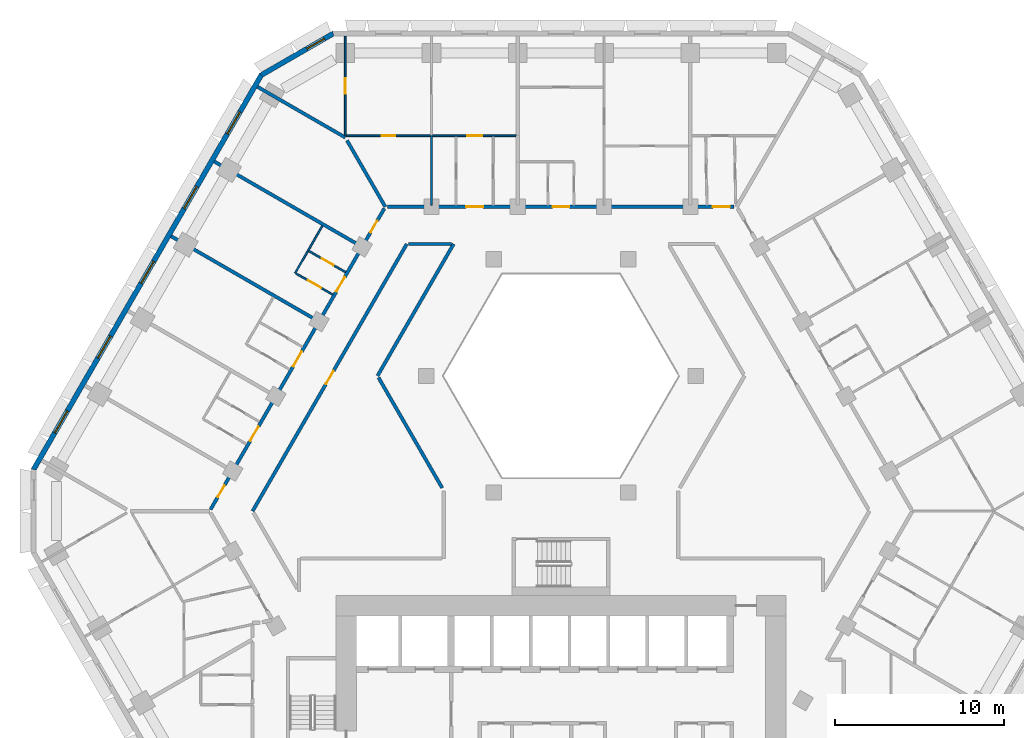
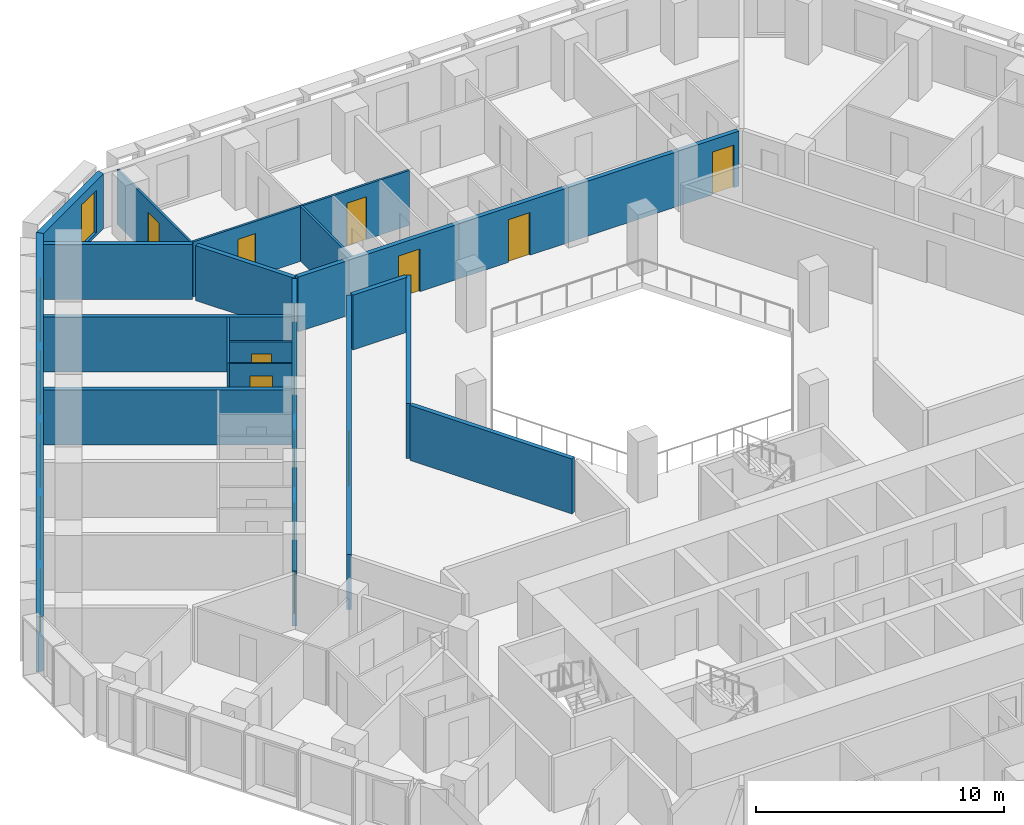
# One storey, part 8 of 16: 18 walls, 14 doors, 6 windows, 20 openings.
"""IFC4 building model written with IfcOpenShell, lengths in metres."""

from ifc_helpers import new_model, si_unit, direction, frame, frame_2d, origin, place, context, subcontext, project, spatial, polyline, rectangle, outline, extrude, material, layer, layer_set, type_object, element, fill, save


model = new_model("IFC4")

# Units and contexts
model_context = context("Model", 3, precision=1e-05, world=origin(), true_north=direction((0.0, 1.0)))
body_context = subcontext(model_context, "Body", "Model", "MODEL_VIEW")
ifc_project = project(units=[si_unit("LENGTHUNIT", "METRE"), si_unit("AREAUNIT", "SQUARE_METRE"), si_unit("VOLUMEUNIT", "CUBIC_METRE"), si_unit("PLANEANGLEUNIT", "RADIAN"), si_unit("MASSUNIT", "GRAM", prefix="KILO")], contexts=[model_context])

# Site, building, storey
site_placement = place(None, origin())
site = spatial("IfcSite", under=ifc_project, at=site_placement, CompositionType="ELEMENT")
building_placement = place(site_placement, origin())
building = spatial("IfcBuilding", under=site, at=building_placement, Name="Beryl Residences", CompositionType="ELEMENT")
storey_placement = place(building_placement, frame((0.0, 0.0, 32.39990234375)))
storey = spatial("IfcBuildingStorey", under=building, at=storey_placement, Name="L09", CompositionType="ELEMENT", Elevation=32.39990234375)

# Wall, opening, window
ifc_material_1 = material(Name="Composite metal panel with mineral wool insulation")
ifc_layer_1 = layer(ifc_material_1, 0.300048828125)
ifc_layer_set_1 = layer_set([ifc_layer_1], Name="ES1 pale metal composite panel wall 300 mm")
wall_type_1 = type_object("IfcWallType", Name="ES1 pale metal composite panel wall 300 mm", PredefinedType="SOLIDWALL", material=ifc_layer_set_1)
wall_1_placement = place(storey_placement, frame((-13.43505859375, 28.27001953125, 0.0), z_axis=(0.0, 0.0, 1.0), x_axis=(-0.866010750942, -0.50002537861, 0.0)))
wall_1 = element("IfcWall", 1, at=wall_1_placement, inside=storey, type_object=wall_type_1, Name="ES1 external wall L09 N-NW", PredefinedType="SOLIDWALL", context=body_context, shape_type="SweptSolid", body=[
    extrude(outline(polyline([(0.0, -0.14990234375), (4.999755859375, -0.14990234375), (4.91943359375, 0.14990234375), (0.080322265625, 0.14990234375), (0.0, -0.14990234375)])), origin(), (0.0, 0.0, 1.0), 2.7001953125),
])
opening_1_placement = place(wall_1_placement, frame((0.64990234375, 0.0, 0.14990234375)))
opening_1 = element("IfcOpeningElement", 2, at=opening_1_placement, cuts=wall_1, Name="Opening W2", PredefinedType="OPENING", context=body_context, shape_type="SweptSolid", body=[
    extrude(rectangle(XDim=1.199951171875, YDim=2.10009765625, at=frame_2d((0.60009765625, 1.050048828125))), frame((0.0, 0.159912109375, 0.0), z_axis=(0.0, -1.0, 0.0), x_axis=(1.0, 0.0, 0.0)), (0.0, 0.0, 1.0), 0.320068359375),
])
ifc_material_2 = material(Name="Aluminium and clear glass", Category="aluminium")
window_type_1 = type_object("IfcWindowType", Name="W2 chamfer window 1200 x 2100 mm", PartitioningType="SINGLE_PANEL", PredefinedType="WINDOW", material=ifc_material_2)
window_1_placement = place(opening_1_placement, origin())
window_1 = element("IfcWindow", 3, at=window_1_placement, inside=storey, type_object=window_type_1, Name="W2 window L09 N-NW 1", OverallHeight=2.10009765625, OverallWidth=1.199951171875, PartitioningType="SINGLE_PANEL", PredefinedType="WINDOW", context=body_context, shape_type="SweptSolid", body=[
    extrude(rectangle(XDim=1.199951171875, YDim=2.10009765625, at=frame_2d((0.60009765625, 1.050048828125))), frame((0.0, 0.030029296875, 0.0), z_axis=(0.0, -1.0, 0.0), x_axis=(1.0, 0.0, 0.0)), (0.0, 0.0, 1.0), 0.06005859375),
])
fill(opening_1, window_1)

# Wall, openings, windows
wall_2_placement = place(storey_placement, frame((-17.7099609375, 25.824951171875, 0.0), z_axis=(0.0, 0.0, 1.0), x_axis=(-0.500001938803, -0.866024284413, 0.0)))
wall_2 = element("IfcWall", 4, at=wall_2_placement, inside=storey, type_object=wall_type_1, Name="ES1 external wall L09 NW", PredefinedType="SOLIDWALL", context=body_context, shape_type="SweptSolid", body=[
    extrude(outline(polyline([(0.0, -0.14990234375), (27.02001953125, -0.14990234375), (26.939697265625, 0.14990234375), (0.080322265625, 0.14990234375), (0.0, -0.14990234375)])), origin(), (0.0, 0.0, 1.0), 2.7001953125),
])
opening_2_placement = place(wall_2_placement, frame((2.552978515625, 0.0, 0.14990234375)))
opening_2 = element("IfcOpeningElement", 5, at=opening_2_placement, cuts=wall_2, Name="Opening W1", PredefinedType="OPENING", context=body_context, shape_type="SweptSolid", body=[
    extrude(rectangle(XDim=1.5, YDim=2.10009765625, at=frame_2d((0.75, 1.050048828125))), frame((0.0, 0.159912109375, 0.0), z_axis=(0.0, -1.0, 0.0), x_axis=(1.0, 0.0, 0.0)), (0.0, 0.0, 1.0), 0.320068359375),
])
opening_3_placement = place(wall_2_placement, frame((7.657958984375, 0.0, 0.14990234375)))
opening_3 = element("IfcOpeningElement", 6, at=opening_3_placement, cuts=wall_2, Name="Opening W1", PredefinedType="OPENING", context=body_context, shape_type="SweptSolid", body=[
    extrude(rectangle(XDim=1.5, YDim=2.10009765625, at=frame_2d((0.75, 1.050048828125))), frame((0.0, 0.159912109375, 0.0), z_axis=(0.0, -1.0, 0.0), x_axis=(1.0, 0.0, 0.0)), (0.0, 0.0, 1.0), 0.320068359375),
])
opening_4_placement = place(wall_2_placement, frame((12.760986328125, 0.0, 0.14990234375)))
opening_4 = element("IfcOpeningElement", 7, at=opening_4_placement, cuts=wall_2, Name="Opening W1", PredefinedType="OPENING", context=body_context, shape_type="SweptSolid", body=[
    extrude(rectangle(XDim=1.5, YDim=2.10009765625, at=frame_2d((0.75, 1.050048828125))), frame((0.0, 0.159912109375, 0.0), z_axis=(0.0, -1.0, 0.0), x_axis=(1.0, 0.0, 0.0)), (0.0, 0.0, 1.0), 0.320068359375),
])
opening_5_placement = place(wall_2_placement, frame((17.864990234375, 0.0, 0.14990234375)))
opening_5 = element("IfcOpeningElement", 8, at=opening_5_placement, cuts=wall_2, Name="Opening W1", PredefinedType="OPENING", context=body_context, shape_type="SweptSolid", body=[
    extrude(rectangle(XDim=1.5, YDim=2.10009765625, at=frame_2d((0.75, 1.050048828125))), frame((0.0, 0.159912109375, 0.0), z_axis=(0.0, -1.0, 0.0), x_axis=(1.0, 0.0, 0.0)), (0.0, 0.0, 1.0), 0.320068359375),
])
opening_6_placement = place(wall_2_placement, frame((22.968994140625, 0.0, 0.14990234375)))
opening_6 = element("IfcOpeningElement", 9, at=opening_6_placement, cuts=wall_2, Name="Opening W1", PredefinedType="OPENING", context=body_context, shape_type="SweptSolid", body=[
    extrude(rectangle(XDim=1.5, YDim=2.10009765625, at=frame_2d((0.75, 1.050048828125))), frame((0.0, 0.159912109375, 0.0), z_axis=(0.0, -1.0, 0.0), x_axis=(1.0, 0.0, 0.0)), (0.0, 0.0, 1.0), 0.320068359375),
])
ifc_material_3 = material(Name="Aluminium and clear glass", Category="aluminium")
window_type_2 = type_object("IfcWindowType", Name="W1 cell window 1500 x 2100 mm", PartitioningType="SINGLE_PANEL", PredefinedType="WINDOW", material=ifc_material_3)
window_2_placement = place(opening_2_placement, origin())
window_2 = element("IfcWindow", 10, at=window_2_placement, inside=storey, type_object=window_type_2, Name="W1 window L09 NW 2", OverallHeight=2.10009765625, OverallWidth=1.5, PartitioningType="SINGLE_PANEL", PredefinedType="WINDOW", context=body_context, shape_type="SweptSolid", body=[
    extrude(rectangle(XDim=1.5, YDim=2.10009765625, at=frame_2d((0.75, 1.050048828125))), frame((0.0, 0.030029296875, 0.0), z_axis=(0.0, -1.0, 0.0), x_axis=(1.0, 0.0, 0.0)), (0.0, 0.0, 1.0), 0.06005859375),
])
fill(opening_2, window_2)
window_3_placement = place(opening_3_placement, origin())
window_3 = element("IfcWindow", 11, at=window_3_placement, inside=storey, type_object=window_type_2, Name="W1 window L09 NW 4", OverallHeight=2.10009765625, OverallWidth=1.5, PartitioningType="SINGLE_PANEL", PredefinedType="WINDOW", context=body_context, shape_type="SweptSolid", body=[
    extrude(rectangle(XDim=1.5, YDim=2.10009765625, at=frame_2d((0.75, 1.050048828125))), frame((0.0, 0.030029296875, 0.0), z_axis=(0.0, -1.0, 0.0), x_axis=(1.0, 0.0, 0.0)), (0.0, 0.0, 1.0), 0.06005859375),
])
fill(opening_3, window_3)
window_4_placement = place(opening_4_placement, origin())
window_4 = element("IfcWindow", 12, at=window_4_placement, inside=storey, type_object=window_type_2, Name="W1 window L09 NW 6", OverallHeight=2.10009765625, OverallWidth=1.5, PartitioningType="SINGLE_PANEL", PredefinedType="WINDOW", context=body_context, shape_type="SweptSolid", body=[
    extrude(rectangle(XDim=1.5, YDim=2.10009765625, at=frame_2d((0.75, 1.050048828125))), frame((0.0, 0.030029296875, 0.0), z_axis=(0.0, -1.0, 0.0), x_axis=(1.0, 0.0, 0.0)), (0.0, 0.0, 1.0), 0.06005859375),
])
fill(opening_4, window_4)
window_5_placement = place(opening_5_placement, origin())
window_5 = element("IfcWindow", 13, at=window_5_placement, inside=storey, type_object=window_type_2, Name="W1 window L09 NW 8", OverallHeight=2.10009765625, OverallWidth=1.5, PartitioningType="SINGLE_PANEL", PredefinedType="WINDOW", context=body_context, shape_type="SweptSolid", body=[
    extrude(rectangle(XDim=1.5, YDim=2.10009765625, at=frame_2d((0.75, 1.050048828125))), frame((0.0, 0.030029296875, 0.0), z_axis=(0.0, -1.0, 0.0), x_axis=(1.0, 0.0, 0.0)), (0.0, 0.0, 1.0), 0.06005859375),
])
fill(opening_5, window_5)
window_6_placement = place(opening_6_placement, origin())
window_6 = element("IfcWindow", 14, at=window_6_placement, inside=storey, type_object=window_type_2, Name="W1 window L09 NW 10", OverallHeight=2.10009765625, OverallWidth=1.5, PartitioningType="SINGLE_PANEL", PredefinedType="WINDOW", context=body_context, shape_type="SweptSolid", body=[
    extrude(rectangle(XDim=1.5, YDim=2.10009765625, at=frame_2d((0.75, 1.050048828125))), frame((0.0, 0.030029296875, 0.0), z_axis=(0.0, -1.0, 0.0), x_axis=(1.0, 0.0, 0.0)), (0.0, 0.0, 1.0), 0.06005859375),
])
fill(opening_6, window_6)

# Wall, opening, door
ifc_material_4 = material(Name="Gypsum board partition on steel studs", Category="steel")
ifc_layer_2 = layer(ifc_material_4, 0.10009765625)
ifc_layer_set_2 = layer_set([ifc_layer_2], Name="PT1 partition 100 mm gypsum board on steel studs")
wall_type_2 = type_object("IfcWallType", Name="PT1 partition 100 mm gypsum board on steel studs", PredefinedType="PARTITIONING", material=ifc_layer_set_2)
wall_3_placement = place(storey_placement, frame((-15.678955078125, 14.06103515625, 0.0), z_axis=(0.0, 0.0, 1.0), x_axis=(0.865916579361, -0.500188442078, 0.0)))
wall_3 = element("IfcWall", 15, at=wall_3_placement, inside=storey, type_object=wall_type_2, Name="Wall PT1 L09 021", PredefinedType="PARTITIONING", context=body_context, shape_type="SweptSolid", body=[
    extrude(rectangle(XDim=2.50927734375, YDim=0.10009765625, at=frame_2d((1.254638671875, 0.0))), origin(), (0.0, 0.0, 1.0), 2.7001953125),
])
opening_7_placement = place(wall_3_placement, frame((0.8291015625, 0.0, 0.0)))
opening_7 = element("IfcOpeningElement", 16, at=opening_7_placement, cuts=wall_3, Name="Opening D0403", PredefinedType="OPENING", context=body_context, shape_type="SweptSolid", body=[
    extrude(rectangle(XDim=0.89990234375, YDim=2.10009765625, at=frame_2d((0.449951171875, 1.050048828125))), frame((0.0, 0.06005859375, 0.0), z_axis=(0.0, -1.0, 0.0), x_axis=(1.0, 0.0, 0.0)), (0.0, 0.0, 1.0), 0.1201171875),
])
ifc_material_5 = material(Name="Timber door leaf", Category="wood")
door_type_1 = type_object("IfcDoorType", Name="D2 room door 900 x 2100 mm", OperationType="SINGLE_SWING_LEFT", PredefinedType="DOOR", material=ifc_material_5)
door_1_placement = place(opening_7_placement, origin())
door_1 = element("IfcDoor", 17, at=door_1_placement, inside=storey, type_object=door_type_1, Name="Door D0403 L09 001", OperationType="SINGLE_SWING_LEFT", OverallHeight=2.10009765625, OverallWidth=0.89990234375, PredefinedType="DOOR", context=body_context, shape_type="SweptSolid", body=[
    extrude(rectangle(XDim=0.89990234375, YDim=2.10009765625, at=frame_2d((0.449951171875, 1.050048828125))), frame((0.0, 0.02490234375, 0.0), z_axis=(0.0, -1.0, 0.0), x_axis=(1.0, 0.0, 0.0)), (0.0, 0.0, 1.0), 0.050048828125),
])
fill(opening_7, door_1)

wall_4_placement = place(storey_placement, frame((-14.9140625, 15.386962890625, 0.0), z_axis=(0.0, 0.0, 1.0), x_axis=(0.865983051302, -0.500073349477, 0.0)))
wall_4 = element("IfcWall", 18, at=wall_4_placement, inside=storey, type_object=wall_type_2, Name="Wall PT1 L09 022", PredefinedType="PARTITIONING", context=body_context, shape_type="SweptSolid", body=[
    extrude(rectangle(XDim=2.50927734375, YDim=0.10009765625, at=frame_2d((1.254638671875, 0.0))), origin(), (0.0, 0.0, 1.0), 2.7001953125),
])
opening_8_placement = place(wall_4_placement, frame((0.8798828125, 0.0, 0.0)))
opening_8 = element("IfcOpeningElement", 19, at=opening_8_placement, cuts=wall_4, Name="Opening D0404", PredefinedType="OPENING", context=body_context, shape_type="SweptSolid", body=[
    extrude(rectangle(XDim=0.800048828125, YDim=2.10009765625, at=frame_2d((0.39990234375, 1.050048828125))), frame((0.0, 0.06005859375, 0.0), z_axis=(0.0, -1.0, 0.0), x_axis=(1.0, 0.0, 0.0)), (0.0, 0.0, 1.0), 0.1201171875),
])
ifc_material_6 = material(Name="Timber door leaf", Category="wood")
door_type_2 = type_object("IfcDoorType", Name="D3 bathroom door 800 x 2100 mm", OperationType="SINGLE_SWING_LEFT", PredefinedType="DOOR", material=ifc_material_6)
door_2_placement = place(opening_8_placement, origin())
door_2 = element("IfcDoor", 20, at=door_2_placement, inside=storey, type_object=door_type_2, Name="Door D0404 L09 001", OperationType="SINGLE_SWING_RIGHT", OverallHeight=2.10009765625, OverallWidth=0.800048828125, PredefinedType="DOOR", context=body_context, shape_type="SweptSolid", body=[
    extrude(rectangle(XDim=0.800048828125, YDim=2.10009765625, at=frame_2d((0.39990234375, 1.050048828125))), frame((0.0, 0.02490234375, 0.0), z_axis=(0.0, -1.0, 0.0), x_axis=(1.0, 0.0, 0.0)), (0.0, 0.0, 1.0), 0.050048828125),
])
fill(opening_8, door_2)

# Wall, openings, doors
wall_5_placement = place(storey_placement, frame((-12.7109375, 22.199951171875, 0.0), z_axis=(0.0, 0.0, 1.0), x_axis=(1.0, 0.0, 0.0)))
wall_5 = element("IfcWall", 21, at=wall_5_placement, inside=storey, type_object=wall_type_2, Name="Wall PT1 L09 037", PredefinedType="PARTITIONING", context=body_context, shape_type="SweptSolid", body=[
    extrude(rectangle(XDim=10.057861328125, YDim=0.10009765625, at=frame_2d((5.02880859375, 0.0))), origin(), (0.0, 0.0, 1.0), 2.7001953125),
])
opening_9_placement = place(wall_5_placement, frame((7.156005859375, 0.0, 0.0)))
opening_9 = element("IfcOpeningElement", 22, at=opening_9_placement, cuts=wall_5, Name="Opening D0472", PredefinedType="OPENING", context=body_context, shape_type="SweptSolid", body=[
    extrude(rectangle(XDim=0.89990234375, YDim=2.10009765625, at=frame_2d((0.449951171875, 1.050048828125))), frame((0.0, 0.06005859375, 0.0), z_axis=(0.0, -1.0, 0.0), x_axis=(1.0, 0.0, 0.0)), (0.0, 0.0, 1.0), 0.1201171875),
])
opening_10_placement = place(wall_5_placement, frame((2.10205078125, 0.0, 0.0)))
opening_10 = element("IfcOpeningElement", 23, at=opening_10_placement, cuts=wall_5, Name="Opening D0475", PredefinedType="OPENING", context=body_context, shape_type="SweptSolid", body=[
    extrude(rectangle(XDim=0.800048828125, YDim=2.10009765625, at=frame_2d((0.39990234375, 1.050048828125))), frame((0.0, 0.06005859375, 0.0), z_axis=(0.0, -1.0, 0.0), x_axis=(1.0, 0.0, 0.0)), (0.0, 0.0, 1.0), 0.1201171875),
])
door_3_placement = place(opening_9_placement, origin())
door_3 = element("IfcDoor", 24, at=door_3_placement, inside=storey, type_object=door_type_1, Name="Door D0472 L09 001", OperationType="SINGLE_SWING_RIGHT", OverallHeight=2.10009765625, OverallWidth=0.89990234375, PredefinedType="DOOR", context=body_context, shape_type="SweptSolid", body=[
    extrude(rectangle(XDim=0.89990234375, YDim=2.10009765625, at=frame_2d((0.449951171875, 1.050048828125))), frame((0.0, 0.02490234375, 0.0), z_axis=(0.0, -1.0, 0.0), x_axis=(1.0, 0.0, 0.0)), (0.0, 0.0, 1.0), 0.050048828125),
])
fill(opening_9, door_3)
door_4_placement = place(opening_10_placement, origin())
door_4 = element("IfcDoor", 25, at=door_4_placement, inside=storey, type_object=door_type_2, Name="Door D0475 L09 001", OperationType="SINGLE_SWING_LEFT", OverallHeight=2.10009765625, OverallWidth=0.800048828125, PredefinedType="DOOR", context=body_context, shape_type="SweptSolid", body=[
    extrude(rectangle(XDim=0.800048828125, YDim=2.10009765625, at=frame_2d((0.39990234375, 1.050048828125))), frame((0.0, 0.02490234375, 0.0), z_axis=(0.0, -1.0, 0.0), x_axis=(1.0, 0.0, 0.0)), (0.0, 0.0, 1.0), 0.050048828125),
])
fill(opening_10, door_4)

# Walls
wall_6_placement = place(storey_placement, frame((-15.722900390625, 14.0869140625, 0.0), z_axis=(0.0, 0.0, 1.0), x_axis=(0.500204249835, 0.865907447969, 0.0)))
element("IfcWall", 26, at=wall_6_placement, inside=storey, type_object=wall_type_2, Name="Wall PT1 L09 041", PredefinedType="PARTITIONING", context=body_context, shape_type="SweptSolid", body=[
    extrude(rectangle(XDim=3.216552734375, YDim=0.10009765625, at=frame_2d((1.6083984375, 0.0))), origin(), (0.0, 0.0, 1.0), 2.7001953125),
])
wall_7_placement = place(storey_placement, frame((-7.656982421875, 18.10009765625, 0.0), z_axis=(0.0, 0.0, 1.0), x_axis=(0.0, 1.0, 0.0)))
element("IfcWall", 27, at=wall_7_placement, inside=storey, type_object=wall_type_2, Name="Wall PT1 L09 055", PredefinedType="PARTITIONING", context=body_context, shape_type="SweptSolid", body=[
    extrude(rectangle(XDim=4.099853515625, YDim=0.10009765625, at=frame_2d((2.0498046875, 0.0))), origin(), (0.0, 0.0, 1.0), 2.7001953125),
])

# Wall, opening, door
wall_8_placement = place(storey_placement, frame((-12.760986328125, 22.199951171875, 0.0), z_axis=(0.0, 0.0, 1.0), x_axis=(0.0, 1.0, 0.0)))
wall_8 = element("IfcWall", 28, at=wall_8_placement, inside=storey, type_object=wall_type_2, Name="Wall PT1 L09 057", PredefinedType="PARTITIONING", context=body_context, shape_type="SweptSolid", body=[
    extrude(rectangle(XDim=5.900146484375, YDim=0.10009765625, at=frame_2d((2.9501953125, 0.0))), origin(), (0.0, 0.0, 1.0), 2.7001953125),
])
opening_11_placement = place(wall_8_placement, frame((2.5, 0.0, 0.0)))
opening_11 = element("IfcOpeningElement", 29, at=opening_11_placement, cuts=wall_8, Name="Opening D0474", PredefinedType="OPENING", context=body_context, shape_type="SweptSolid", body=[
    extrude(rectangle(XDim=0.89990234375, YDim=2.10009765625, at=frame_2d((0.449951171875, 1.050048828125))), frame((0.0, 0.06005859375, 0.0), z_axis=(0.0, -1.0, 0.0), x_axis=(1.0, 0.0, 0.0)), (0.0, 0.0, 1.0), 0.1201171875),
])
door_5_placement = place(opening_11_placement, origin())
door_5 = element("IfcDoor", 30, at=door_5_placement, inside=storey, type_object=door_type_1, Name="Door D0474 L09 001", OperationType="SINGLE_SWING_RIGHT", OverallHeight=2.10009765625, OverallWidth=0.89990234375, PredefinedType="DOOR", context=body_context, shape_type="SweptSolid", body=[
    extrude(rectangle(XDim=0.89990234375, YDim=2.10009765625, at=frame_2d((0.449951171875, 1.050048828125))), frame((0.0, 0.02490234375, 0.0), z_axis=(0.0, -1.0, 0.0), x_axis=(1.0, 0.0, 0.0)), (0.0, 0.0, 1.0), 0.050048828125),
])
fill(opening_11, door_5)

# Walls
ifc_material_7 = material(Name="Acoustic double stud gypsum board wall")
ifc_layer_3 = layer(ifc_material_7, 0.199951171875)
ifc_layer_set_3 = layer_set([ifc_layer_3], Name="PT3 party wall 200 mm acoustic double stud")
wall_type_3 = type_object("IfcWallType", Name="PT3 party wall 200 mm acoustic double stud", PredefinedType="PARTITIONING", material=ifc_layer_set_3)
wall_9_placement = place(storey_placement, frame((-12.658935546875, 21.926025390625, 0.0), z_axis=(0.0, 0.0, 1.0), x_axis=(0.500025458316, -0.86601070492, 0.0)))
element("IfcWall", 31, at=wall_9_placement, inside=storey, type_object=wall_type_3, Name="Wall PT3 L09 001", PredefinedType="PARTITIONING", context=body_context, shape_type="SweptSolid", body=[
    extrude(rectangle(XDim=4.533447265625, YDim=0.199951171875, at=frame_2d((2.2666015625, 0.0))), origin(), (0.0, 0.0, 1.0), 2.7001953125),
])
wall_10_placement = place(storey_placement, frame((-20.508056640625, 20.678955078125, 0.0), z_axis=(0.0, 0.0, 1.0), x_axis=(0.866047370643, -0.499961950354, 0.0)))
element("IfcWall", 32, at=wall_10_placement, inside=storey, type_object=wall_type_3, Name="Wall PT3 L09 008", PredefinedType="PARTITIONING", context=body_context, shape_type="SweptSolid", body=[
    extrude(rectangle(XDim=10.000732421875, YDim=0.199951171875, at=frame_2d((5.00048828125, 0.0))), origin(), (0.0, 0.0, 1.0), 2.7001953125),
])
wall_11_placement = place(storey_placement, frame((-17.955078125, 25.09912109375, 0.0), z_axis=(0.0, 0.0, 1.0), x_axis=(0.86609140076, -0.499885672459, 0.0)))
element("IfcWall", 33, at=wall_11_placement, inside=storey, type_object=wall_type_3, Name="Wall PT3 L09 009", PredefinedType="PARTITIONING", context=body_context, shape_type="SweptSolid", body=[
    extrude(rectangle(XDim=5.99951171875, YDim=0.199951171875, at=frame_2d((2.999755859375, 0.0))), origin(), (0.0, 0.0, 1.0), 2.7001953125),
])
wall_12_placement = place(storey_placement, frame((-23.06005859375, 16.259033203125, 0.0), z_axis=(0.0, 0.0, 1.0), x_axis=(0.866047370643, -0.499961950354, 0.0)))
element("IfcWall", 34, at=wall_12_placement, inside=storey, type_object=wall_type_3, Name="Wall PT3 L09 010", PredefinedType="PARTITIONING", context=body_context, shape_type="SweptSolid", body=[
    extrude(rectangle(XDim=10.000732421875, YDim=0.199951171875, at=frame_2d((5.00048828125, 0.0))), origin(), (0.0, 0.0, 1.0), 2.7001953125),
])
ifc_material_8 = material(Name="Double stud gypsum board wall")
ifc_layer_4 = layer(ifc_material_8, 0.199951171875)
ifc_layer_set_4 = layer_set([ifc_layer_4], Name="PT4 corridor wall 200 mm double stud")
wall_type_4 = type_object("IfcWallType", Name="PT4 corridor wall 200 mm double stud", PredefinedType="PARTITIONING", material=ifc_layer_set_4)
wall_13_placement = place(storey_placement, frame((-10.7958984375, 7.89990234375, 0.0), z_axis=(0.0, 0.0, 1.0), x_axis=(0.499954271211, -0.866051803703, 0.0)))
element("IfcWall", 35, at=wall_13_placement, inside=storey, type_object=wall_type_4, Name="Wall PT4 L09 001", PredefinedType="PARTITIONING", context=body_context, shape_type="SweptSolid", body=[
    extrude(rectangle(XDim=7.536376953125, YDim=0.199951171875, at=frame_2d((3.76806640625, 0.0))), origin(), (0.0, 0.0, 1.0), 2.7001953125),
])
wall_14_placement = place(storey_placement, frame((-9.006103515625, 15.800048828125, 0.0), z_axis=(0.0, 0.0, 1.0), x_axis=(1.0, 0.0, 0.0)))
element("IfcWall", 36, at=wall_14_placement, inside=storey, type_object=wall_type_4, Name="Wall PT4 L09 016", PredefinedType="PARTITIONING", context=body_context, shape_type="SweptSolid", body=[
    extrude(rectangle(XDim=2.5400390625, YDim=0.199951171875, at=frame_2d((1.27001953125, 0.0))), origin(), (0.0, 0.0, 1.0), 2.7001953125),
])

# Wall, openings, doors
wall_15_placement = place(storey_placement, frame((-10.27587890625, 18.0, 0.0), z_axis=(0.0, 0.0, 1.0), x_axis=(1.0, 0.0, 0.0)))
wall_15 = element("IfcWall", 37, at=wall_15_placement, inside=storey, type_object=wall_type_4, Name="Wall PT4 L09 018", PredefinedType="PARTITIONING", context=body_context, shape_type="SweptSolid", body=[
    extrude(rectangle(XDim=20.5, YDim=0.199951171875, at=frame_2d((10.25, 0.0))), origin(), (0.0, 0.0, 1.0), 2.7001953125),
])
opening_12_placement = place(wall_15_placement, frame((19.264892578125, 0.0, 0.0)))
opening_12 = element("IfcOpeningElement", 38, at=opening_12_placement, cuts=wall_15, Name="Opening D0459", PredefinedType="OPENING", context=body_context, shape_type="SweptSolid", body=[
    extrude(rectangle(XDim=1.0, YDim=2.10009765625, at=frame_2d((0.5, 1.050048828125))), frame((0.0, 0.10986328125, 0.0), z_axis=(0.0, -1.0, 0.0), x_axis=(1.0, 0.0, 0.0)), (0.0, 0.0, 1.0), 0.219970703125),
])
opening_13_placement = place(wall_15_placement, frame((9.77490234375, 0.0, 0.0)))
opening_13 = element("IfcOpeningElement", 39, at=opening_13_placement, cuts=wall_15, Name="Opening D0463", PredefinedType="OPENING", context=body_context, shape_type="SweptSolid", body=[
    extrude(rectangle(XDim=1.0, YDim=2.10009765625, at=frame_2d((0.5, 1.050048828125))), frame((0.0, 0.10986328125, 0.0), z_axis=(0.0, -1.0, 0.0), x_axis=(1.0, 0.0, 0.0)), (0.0, 0.0, 1.0), 0.219970703125),
])
opening_14_placement = place(wall_15_placement, frame((4.6708984375, 0.0, 0.0)))
opening_14 = element("IfcOpeningElement", 40, at=opening_14_placement, cuts=wall_15, Name="Opening D0469", PredefinedType="OPENING", context=body_context, shape_type="SweptSolid", body=[
    extrude(rectangle(XDim=1.0, YDim=2.10009765625, at=frame_2d((0.5, 1.050048828125))), frame((0.0, 0.10986328125, 0.0), z_axis=(0.0, -1.0, 0.0), x_axis=(1.0, 0.0, 0.0)), (0.0, 0.0, 1.0), 0.219970703125),
])
ifc_material_9 = material(Name="Timber door leaf", Category="wood")
door_type_3 = type_object("IfcDoorType", Name="D1 flat entrance door 1000 x 2100 mm", OperationType="SINGLE_SWING_LEFT", PredefinedType="DOOR", material=ifc_material_9)
door_6_placement = place(opening_12_placement, origin())
door_6 = element("IfcDoor", 41, at=door_6_placement, inside=storey, type_object=door_type_3, Name="Door D0459 L09 001", OperationType="SINGLE_SWING_LEFT", OverallHeight=2.10009765625, OverallWidth=1.0, PredefinedType="DOOR", context=body_context, shape_type="SweptSolid", body=[
    extrude(rectangle(XDim=1.0, YDim=2.10009765625, at=frame_2d((0.5, 1.050048828125))), frame((0.0, 0.02490234375, 0.0), z_axis=(0.0, -1.0, 0.0), x_axis=(1.0, 0.0, 0.0)), (0.0, 0.0, 1.0), 0.050048828125),
])
fill(opening_12, door_6)
door_7_placement = place(opening_13_placement, origin())
door_7 = element("IfcDoor", 42, at=door_7_placement, inside=storey, type_object=door_type_3, Name="Door D0463 L09 001", OperationType="SINGLE_SWING_LEFT", OverallHeight=2.10009765625, OverallWidth=1.0, PredefinedType="DOOR", context=body_context, shape_type="SweptSolid", body=[
    extrude(rectangle(XDim=1.0, YDim=2.10009765625, at=frame_2d((0.5, 1.050048828125))), frame((0.0, 0.02490234375, 0.0), z_axis=(0.0, -1.0, 0.0), x_axis=(1.0, 0.0, 0.0)), (0.0, 0.0, 1.0), 0.050048828125),
])
fill(opening_13, door_7)
door_8_placement = place(opening_14_placement, origin())
door_8 = element("IfcDoor", 43, at=door_8_placement, inside=storey, type_object=door_type_3, Name="Door D0469 L09 001", OperationType="SINGLE_SWING_LEFT", OverallHeight=2.10009765625, OverallWidth=1.0, PredefinedType="DOOR", context=body_context, shape_type="SweptSolid", body=[
    extrude(rectangle(XDim=1.0, YDim=2.10009765625, at=frame_2d((0.5, 1.050048828125))), frame((0.0, 0.02490234375, 0.0), z_axis=(0.0, -1.0, 0.0), x_axis=(1.0, 0.0, 0.0)), (0.0, 0.0, 1.0), 0.050048828125),
])
fill(opening_14, door_8)

# Wall
wall_16_placement = place(storey_placement, frame((-10.85400390625, 8.0, 0.0), z_axis=(0.0, 0.0, 1.0), x_axis=(0.499964141897, 0.86604610548, 0.0)))
element("IfcWall", 44, at=wall_16_placement, inside=storey, type_object=wall_type_4, Name="Wall PT4 L09 022", PredefinedType="PARTITIONING", context=body_context, shape_type="SweptSolid", body=[
    extrude(rectangle(XDim=9.006591796875, YDim=0.199951171875, at=frame_2d((4.50341796875, 0.0))), origin(), (0.0, 0.0, 1.0), 2.7001953125),
])

# Wall, opening, door
wall_17_placement = place(storey_placement, frame((-18.243896484375, -0.0009765625, 0.0), z_axis=(0.0, 0.0, 1.0), x_axis=(0.499962999376, 0.866046765051, 0.0)))
wall_17 = element("IfcWall", 45, at=wall_17_placement, inside=storey, type_object=wall_type_4, Name="Wall PT4 L09 023", PredefinedType="PARTITIONING", context=body_context, shape_type="SweptSolid", body=[
    extrude(rectangle(XDim=18.2451171875, YDim=0.199951171875, at=frame_2d((9.12255859375, 0.0))), origin(), (0.0, 0.0, 1.0), 2.7001953125),
])
opening_15_placement = place(wall_17_placement, frame((8.672119140625, 0.0, 0.0)))
opening_15 = element("IfcOpeningElement", 46, at=opening_15_placement, cuts=wall_17, Name="Opening D0476", PredefinedType="OPENING", context=body_context, shape_type="SweptSolid", body=[
    extrude(rectangle(XDim=0.89990234375, YDim=2.10009765625, at=frame_2d((0.449951171875, 1.050048828125))), frame((0.0, 0.10986328125, 0.0), z_axis=(0.0, -1.0, 0.0), x_axis=(1.0, 0.0, 0.0)), (0.0, 0.0, 1.0), 0.219970703125),
])
door_9_placement = place(opening_15_placement, origin())
door_9 = element("IfcDoor", 47, at=door_9_placement, inside=storey, type_object=door_type_1, Name="Door D0476 L09 001", OperationType="SINGLE_SWING_RIGHT", OverallHeight=2.10009765625, OverallWidth=0.89990234375, PredefinedType="DOOR", context=body_context, shape_type="SweptSolid", body=[
    extrude(rectangle(XDim=0.89990234375, YDim=2.10009765625, at=frame_2d((0.449951171875, 1.050048828125))), frame((0.0, 0.02490234375, 0.0), z_axis=(0.0, -1.0, 0.0), x_axis=(1.0, 0.0, 0.0)), (0.0, 0.0, 1.0), 0.050048828125),
])
fill(opening_15, door_9)

# Wall, openings, doors
wall_18_placement = place(storey_placement, frame((-20.72705078125, 0.09912109375, 0.0), z_axis=(0.0, 0.0, 1.0), x_axis=(0.499993204491, 0.866029327138, 0.0)))
wall_18 = element("IfcWall", 48, at=wall_18_placement, inside=storey, type_object=wall_type_4, Name="Wall PT4 L09 024", PredefinedType="PARTITIONING", context=body_context, shape_type="SweptSolid", body=[
    extrude(rectangle(XDim=20.554443359375, YDim=0.199951171875, at=frame_2d((10.27734375, 0.0))), origin(), (0.0, 0.0, 1.0), 2.7001953125),
])
opening_16_placement = place(wall_18_placement, frame((18.916015625, 0.0, 0.0)))
opening_16 = element("IfcOpeningElement", 49, at=opening_16_placement, cuts=wall_18, Name="Opening D0401", PredefinedType="OPENING", context=body_context, shape_type="SweptSolid", body=[
    extrude(rectangle(XDim=0.800048828125, YDim=2.10009765625, at=frame_2d((0.39990234375, 1.050048828125))), frame((0.0, 0.10986328125, 0.0), z_axis=(0.0, -1.0, 0.0), x_axis=(1.0, 0.0, 0.0)), (0.0, 0.0, 1.0), 0.219970703125),
])
opening_17_placement = place(wall_18_placement, frame((14.8798828125, 0.0, 0.0)))
opening_17 = element("IfcOpeningElement", 50, at=opening_17_placement, cuts=wall_18, Name="Opening D0402", PredefinedType="OPENING", context=body_context, shape_type="SweptSolid", body=[
    extrude(rectangle(XDim=1.0, YDim=2.10009765625, at=frame_2d((0.5, 1.050048828125))), frame((0.0, 0.10986328125, 0.0), z_axis=(0.0, -1.0, 0.0), x_axis=(1.0, 0.0, 0.0)), (0.0, 0.0, 1.0), 0.219970703125),
])
opening_18_placement = place(wall_18_placement, frame((9.77587890625, 0.0, 0.0)))
opening_18 = element("IfcOpeningElement", 51, at=opening_18_placement, cuts=wall_18, Name="Opening D0405", PredefinedType="OPENING", context=body_context, shape_type="SweptSolid", body=[
    extrude(rectangle(XDim=1.0, YDim=2.10009765625, at=frame_2d((0.5, 1.050048828125))), frame((0.0, 0.10986328125, 0.0), z_axis=(0.0, -1.0, 0.0), x_axis=(1.0, 0.0, 0.0)), (0.0, 0.0, 1.0), 0.219970703125),
])
opening_19_placement = place(wall_18_placement, frame((4.673095703125, 0.0, 0.0)))
opening_19 = element("IfcOpeningElement", 52, at=opening_19_placement, cuts=wall_18, Name="Opening D0408", PredefinedType="OPENING", context=body_context, shape_type="SweptSolid", body=[
    extrude(rectangle(XDim=1.0, YDim=2.10009765625, at=frame_2d((0.5, 1.050048828125))), frame((0.0, 0.10986328125, 0.0), z_axis=(0.0, -1.0, 0.0), x_axis=(1.0, 0.0, 0.0)), (0.0, 0.0, 1.0), 0.219970703125),
])
opening_20_placement = place(wall_18_placement, frame((0.837890625, 0.0, 0.0)))
opening_20 = element("IfcOpeningElement", 53, at=opening_20_placement, cuts=wall_18, Name="Opening D0411", PredefinedType="OPENING", context=body_context, shape_type="SweptSolid", body=[
    extrude(rectangle(XDim=0.800048828125, YDim=2.10009765625, at=frame_2d((0.39990234375, 1.050048828125))), frame((0.0, 0.10986328125, 0.0), z_axis=(0.0, -1.0, 0.0), x_axis=(1.0, 0.0, 0.0)), (0.0, 0.0, 1.0), 0.219970703125),
])
door_10_placement = place(opening_17_placement, origin())
door_10 = element("IfcDoor", 54, at=door_10_placement, inside=storey, type_object=door_type_3, Name="Door D0402 L09 001", OperationType="SINGLE_SWING_RIGHT", OverallHeight=2.10009765625, OverallWidth=1.0, PredefinedType="DOOR", context=body_context, shape_type="SweptSolid", body=[
    extrude(rectangle(XDim=1.0, YDim=2.10009765625, at=frame_2d((0.5, 1.050048828125))), frame((0.0, 0.02490234375, 0.0), z_axis=(0.0, -1.0, 0.0), x_axis=(1.0, 0.0, 0.0)), (0.0, 0.0, 1.0), 0.050048828125),
])
fill(opening_17, door_10)
door_11_placement = place(opening_18_placement, origin())
door_11 = element("IfcDoor", 55, at=door_11_placement, inside=storey, type_object=door_type_3, Name="Door D0405 L09 001", OperationType="SINGLE_SWING_LEFT", OverallHeight=2.10009765625, OverallWidth=1.0, PredefinedType="DOOR", context=body_context, shape_type="SweptSolid", body=[
    extrude(rectangle(XDim=1.0, YDim=2.10009765625, at=frame_2d((0.5, 1.050048828125))), frame((0.0, 0.02490234375, 0.0), z_axis=(0.0, -1.0, 0.0), x_axis=(1.0, 0.0, 0.0)), (0.0, 0.0, 1.0), 0.050048828125),
])
fill(opening_18, door_11)
door_12_placement = place(opening_19_placement, origin())
door_12 = element("IfcDoor", 56, at=door_12_placement, inside=storey, type_object=door_type_3, Name="Door D0408 L09 001", OperationType="SINGLE_SWING_RIGHT", OverallHeight=2.10009765625, OverallWidth=1.0, PredefinedType="DOOR", context=body_context, shape_type="SweptSolid", body=[
    extrude(rectangle(XDim=1.0, YDim=2.10009765625, at=frame_2d((0.5, 1.050048828125))), frame((0.0, 0.02490234375, 0.0), z_axis=(0.0, -1.0, 0.0), x_axis=(1.0, 0.0, 0.0)), (0.0, 0.0, 1.0), 0.050048828125),
])
fill(opening_19, door_12)
door_13_placement = place(opening_16_placement, origin())
door_13 = element("IfcDoor", 57, at=door_13_placement, inside=storey, type_object=door_type_2, Name="Door D0401 L09 001", OperationType="SINGLE_SWING_LEFT", OverallHeight=2.10009765625, OverallWidth=0.800048828125, PredefinedType="DOOR", context=body_context, shape_type="SweptSolid", body=[
    extrude(rectangle(XDim=0.800048828125, YDim=2.10009765625, at=frame_2d((0.39990234375, 1.050048828125))), frame((0.0, 0.02490234375, 0.0), z_axis=(0.0, -1.0, 0.0), x_axis=(1.0, 0.0, 0.0)), (0.0, 0.0, 1.0), 0.050048828125),
])
fill(opening_16, door_13)
door_14_placement = place(opening_20_placement, origin())
door_14 = element("IfcDoor", 58, at=door_14_placement, inside=storey, type_object=door_type_2, Name="Door D0411 L09 001", OperationType="SINGLE_SWING_LEFT", OverallHeight=2.10009765625, OverallWidth=0.800048828125, PredefinedType="DOOR", context=body_context, shape_type="SweptSolid", body=[
    extrude(rectangle(XDim=0.800048828125, YDim=2.10009765625, at=frame_2d((0.39990234375, 1.050048828125))), frame((0.0, 0.02490234375, 0.0), z_axis=(0.0, -1.0, 0.0), x_axis=(1.0, 0.0, 0.0)), (0.0, 0.0, 1.0), 0.050048828125),
])
fill(opening_20, door_14)

save(model, "model.ifc")
